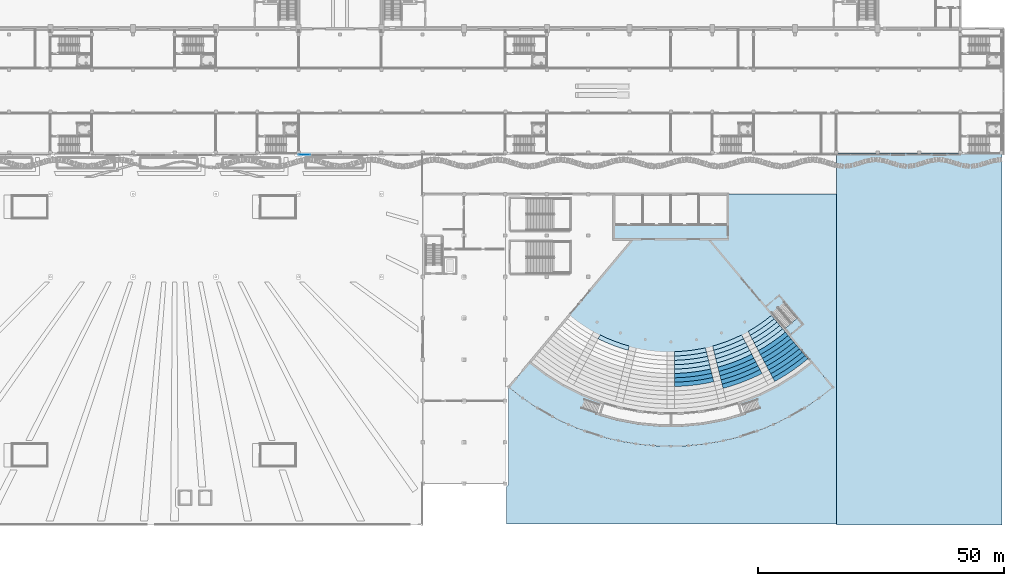
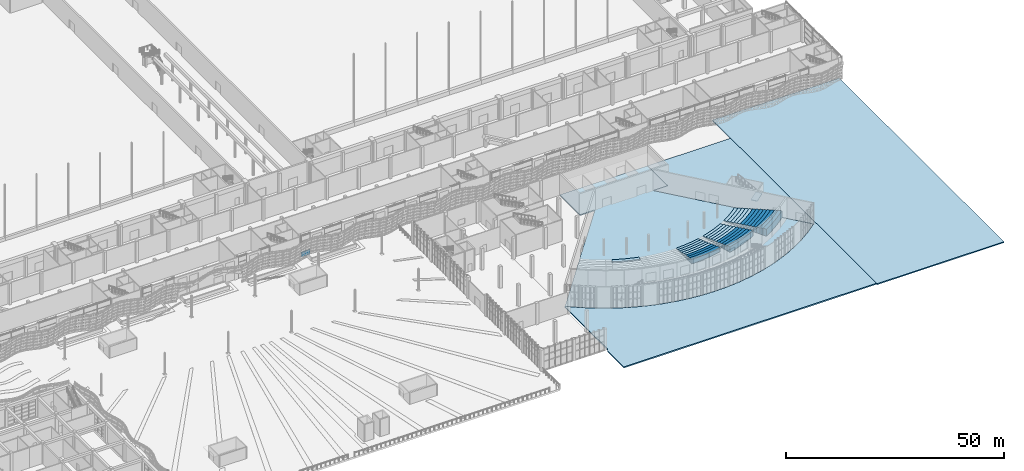
# One storey, part 89 of 210: 36 slabs, 1 plate, 2 elements without a shape of their own.
"""IFC4 building model written with IfcOpenShell, lengths in metres."""

import ifcopenshell
import ifcopenshell.guid

model = None  # the IFC model being written
_history = None  # IfcOwnerHistory: only IFC2X3 demands one
_inside = {}  # id of a spatial element -> (the spatial element, [elements in it])
_under = {}  # id of a project, library or spatial element -> (it, [spatial elements below it])
_declared = {}  # id of a project -> (the project, [libraries it declares])
_typed = {}  # id of a type object -> (the type object, [elements of that type])
_made_of = {}  # id of a material, layer set ... -> (it, [elements and type objects made of it])


def new_model(schema):
    """Start an empty IFC model of exactly this schema.

    Asked for "IFC4X3", IfcOpenShell would pick the latest addendum, in which some entities
    have other attributes; the version numbers below select the first issue.
    IFC2X3 requires an IfcOwnerHistory on every rooted entity: one is made here for all.
    """
    global model, _history
    if schema == "IFC4X3":
        model = ifcopenshell.file(schema_version=(4, 3, 0, 0))
    else:
        model = ifcopenshell.file(schema=schema)
    _inside.clear()
    _under.clear()
    _declared.clear()
    _typed.clear()
    _made_of.clear()
    _history = None
    if model.schema == "IFC2X3":
        org = make("IfcOrganization", Name="unknown")
        user = make(
            "IfcPersonAndOrganization",
            ThePerson=make("IfcPerson", FamilyName="unknown"),
            TheOrganization=org,
        )
        app = make(
            "IfcApplication",
            ApplicationDeveloper=org,
            Version="unknown",
            ApplicationFullName="unknown",
            ApplicationIdentifier="unknown",
        )
        _history = make(
            "IfcOwnerHistory",
            OwningUser=user,
            OwningApplication=app,
            ChangeAction="ADDED",
            CreationDate=0,
        )
    return model


def make(cls, **values):
    """One entity of the class cls with the attributes given. An attribute that is None is left unset."""
    return model.create_entity(
        cls, **{name: value for name, value in values.items() if value is not None}
    )


def rooted(cls, **values):
    """An entity with a GlobalId (a new one), such as an element, a storey or a relation."""
    return make(cls, GlobalId=ifcopenshell.guid.new(), OwnerHistory=_history, **values)


def si_unit(unit_type, name, prefix=None):
    """IfcSIUnit, for example si_unit("LENGTHUNIT", "METRE", prefix="MILLI")."""
    return make("IfcSIUnit", UnitType=unit_type, Prefix=prefix, Name=name)


def assignment(units):
    """IfcUnitAssignment: the units of a project."""
    return None if units is None else make("IfcUnitAssignment", Units=units)


def point(xyz):
    """IfcCartesianPoint."""
    return None if xyz is None else make("IfcCartesianPoint", Coordinates=xyz)


def direction(xyz):
    """IfcDirection."""
    return None if xyz is None else make("IfcDirection", DirectionRatios=xyz)


def frame(location, z_axis=None, x_axis=None):
    """IfcAxis2Placement3D, a coordinate frame: its origin and axes. An axis left out is left unset."""
    return make(
        "IfcAxis2Placement3D",
        Location=point(location),
        Axis=direction(z_axis),
        RefDirection=direction(x_axis),
    )


def frame_2d(location, x_axis=None):
    """IfcAxis2Placement2D, a coordinate frame in the plane: its origin and x axis."""
    return make(
        "IfcAxis2Placement2D", Location=point(location), RefDirection=direction(x_axis)
    )


def origin():
    """The frame at (0, 0, 0) with its axes left unset."""
    return frame((0.0, 0.0, 0.0))


def origin_2d():
    """The frame at (0, 0) in the plane with its x axis left unset."""
    return frame_2d((0.0, 0.0))


def place(relative_to, where):
    """IfcLocalPlacement: puts the frame where relative to a parent placement (None: the world)."""
    return make(
        "IfcLocalPlacement", PlacementRelTo=relative_to, RelativePlacement=where
    )


def context(
    kind, dimensions, precision=None, world=None, true_north=None, identifier=None
):
    """IfcGeometricRepresentationContext, for example the 3D "Model" context."""
    return make(
        "IfcGeometricRepresentationContext",
        ContextIdentifier=identifier,
        ContextType=kind,
        CoordinateSpaceDimension=dimensions,
        Precision=precision,
        WorldCoordinateSystem=world,
        TrueNorth=true_north,
    )


def subcontext(parent, identifier, kind, view, scale=None):
    """IfcGeometricRepresentationSubContext, for example "Body" below "Model"."""
    return make(
        "IfcGeometricRepresentationSubContext",
        ContextIdentifier=identifier,
        ContextType=kind,
        ParentContext=parent,
        TargetScale=scale,
        TargetView=view,
    )


def project(units=None, contexts=None):
    """IfcProject with its units and contexts."""
    return rooted(
        "IfcProject",
        Name="project",
        RepresentationContexts=contexts,
        UnitsInContext=assignment(units),
    )


def spatial(cls, under=None, at=None, **own):
    """A site, building, storey or space (cls), placed at a placement, below another one or the project."""
    s = rooted(cls, ObjectPlacement=at, **own)
    if under is not None:
        _under.setdefault(under.id(), (under, []))[1].append(s)
    return s


def polyline(points):
    """IfcPolyline through the points."""
    return make("IfcPolyline", Points=[point(p) for p in points])


def profile(cls, at=None, kind="AREA", **sizes):
    """A parametric profile (cls). Its sizes go by their IFC names, for example OverallWidth=200.0."""
    return make(cls, ProfileType=kind, Position=at, **sizes)


def rectangle(**sizes):
    """IfcRectangleProfileDef."""
    return profile("IfcRectangleProfileDef", **sizes)


def outline(outer, holes=None, kind="AREA"):
    """IfcArbitraryClosedProfileDef: a profile drawn as a closed curve; with holes, ...WithVoids."""
    if holes is None:
        return make("IfcArbitraryClosedProfileDef", ProfileType=kind, OuterCurve=outer)
    return make(
        "IfcArbitraryProfileDefWithVoids",
        ProfileType=kind,
        OuterCurve=outer,
        InnerCurves=holes,
    )


def extrude(swept, where, along, depth):
    """IfcExtrudedAreaSolid: the profile swept, set in the frame where, extruded along a direction by depth."""
    return make(
        "IfcExtrudedAreaSolid",
        SweptArea=swept,
        Position=where,
        ExtrudedDirection=direction(along),
        Depth=depth,
    )


def shape(context_of_items, identifier, shape_type, items):
    """IfcShapeRepresentation: the items that make up one representation, for example the "Body"."""
    return make(
        "IfcShapeRepresentation",
        ContextOfItems=context_of_items,
        RepresentationIdentifier=identifier,
        RepresentationType=shape_type,
        Items=items,
    )


def material(Name=None, Category=None):
    """IfcMaterial."""
    return make("IfcMaterial", Name=Name, Category=Category)


def layer(
    of_material, thickness, ventilated=None, Name=None, Category=None, Priority=None
):
    """IfcMaterialLayer: one layer of a wall or slab, of a material (None: an air gap)."""
    return make(
        "IfcMaterialLayer",
        Material=of_material,
        LayerThickness=thickness,
        IsVentilated=ventilated,
        Name=Name,
        Category=Category,
        Priority=Priority,
    )


def layer_set(layers, Name=None):
    """IfcMaterialLayerSet."""
    return make("IfcMaterialLayerSet", MaterialLayers=layers, LayerSetName=Name)


def made_of(thing, what):
    """Note that an element or type object is made of a material, layer set ...; save() writes the relation."""
    if what is not None:
        _made_of.setdefault(what.id(), (what, []))[1].append(thing)
    return thing


def type_object(cls, material=None, **own):
    """A type object (cls), such as IfcWallType, which elements share."""
    return made_of(rooted(cls, **own), material)


def element(
    cls,
    number,
    at=None,
    inside=None,
    cuts=None,
    type_object=None,
    material=None,
    context=None,
    identifier="Body",
    shape_type=None,
    held_by="IfcProductDefinitionShape",
    body=None,
    shapes=None,
    **own,
):
    """One element of the class cls, such as IfcWall. Its Tag is "e" and its number.

    at: its placement. inside: the storey or other place that contains it. cuts: it is an
    opening in that element (IfcRelVoidsElement). A single representation is given by context,
    identifier, shape_type and body (its items); several are given by shapes. held_by: the class
    of the entity that holds the representations. save() writes the other relations.
    """
    e = rooted(cls, Tag="e%d" % number, ObjectPlacement=at, **own)
    if body is not None:
        shapes = [shape(context, identifier, shape_type, body)]
    if shapes is not None:
        e.Representation = make(held_by, Representations=shapes)
    if inside is not None:
        _inside.setdefault(inside.id(), (inside, []))[1].append(e)
    if cuts is not None:
        rooted(
            "IfcRelVoidsElement", RelatingBuildingElement=cuts, RelatedOpeningElement=e
        )
    if type_object is not None:
        _typed.setdefault(type_object.id(), (type_object, []))[1].append(e)
    return made_of(e, material)


def aggregate(whole, parts):
    """IfcRelAggregates: a whole, such as a stair, and the parts it consists of."""
    return rooted("IfcRelAggregates", RelatingObject=whole, RelatedObjects=parts)


def save(model, path):
    """Write the relations noted so far, then the file.

    IfcRelAggregates (storeys below a building ...), IfcRelContainedInSpatialStructure (elements
    in a storey), IfcRelDefinesByType, IfcRelAssociatesMaterial and IfcRelDeclares: one each for
    every whole, place, type object, material and project.
    """
    for whole, parts in _under.values():
        aggregate(whole, parts)
    for where, things in _inside.values():
        rooted(
            "IfcRelContainedInSpatialStructure",
            RelatedElements=things,
            RelatingStructure=where,
        )
    for kind, things in _typed.values():
        rooted("IfcRelDefinesByType", RelatedObjects=things, RelatingType=kind)
    for what, things in _made_of.values():
        rooted("IfcRelAssociatesMaterial", RelatedObjects=things, RelatingMaterial=what)
    for by, libraries in _declared.values():
        rooted("IfcRelDeclares", RelatingContext=by, RelatedDefinitions=libraries)
    model.write(path)


model = new_model("IFC4")

# Units and contexts
model_context = context("Model", 3, precision=1e-05, world=origin(), true_north=direction((0.0, 1.0)))
body_context = subcontext(model_context, "Body", "Model", "MODEL_VIEW")
ifc_project = project(units=[si_unit("LENGTHUNIT", "METRE"), si_unit("AREAUNIT", "SQUARE_METRE"), si_unit("VOLUMEUNIT", "CUBIC_METRE"), si_unit("PLANEANGLEUNIT", "RADIAN"), si_unit("MASSUNIT", "GRAM", prefix="KILO")], contexts=[model_context])

# Site, building, storey
site_placement = place(None, origin())
site = spatial("IfcSite", under=ifc_project, at=site_placement, CompositionType="ELEMENT")
building_placement = place(site_placement, origin())
building = spatial("IfcBuilding", under=site, at=building_placement, Name="Rain Tree Exposition and Congress Centre", CompositionType="ELEMENT")
storey_placement = place(building_placement, origin())
storey = spatial("IfcBuildingStorey", under=building, at=storey_placement, Name="L00", CompositionType="ELEMENT", Elevation=0.0)

# Curtain wall, plate
ifc_material_1 = material(Name="Aluminium curtain wall system", Category="aluminium")
ifc_layer_1 = layer(ifc_material_1, 0.10009765625)
ifc_layer_set_1 = layer_set([ifc_layer_1], Name="Aluminium curtain wall system")
curtain_wall_type = type_object("IfcCurtainWallType", Name="Concourse curtain wall 4200 module", PredefinedType="NOTDEFINED", material=ifc_layer_set_1)
curtain_wall_placement = place(storey_placement, origin())
curtain_wall = element("IfcCurtainWall", 1, at=curtain_wall_placement, inside=storey, type_object=curtain_wall_type, Name="Concourse curtain wall CWC10", PredefinedType="NOTDEFINED")
ifc_material_2 = material(Name="Laminated low-e glass", Category="glass")
ifc_layer_2 = layer(ifc_material_2, 0.028076171875)
ifc_layer_set_2 = layer_set([ifc_layer_2], Name="Laminated low-e glass")
plate_type = type_object("IfcPlateType", Name="Concourse curtain wall glass panel 28", PredefinedType="CURTAIN_PANEL", material=ifc_layer_set_2)
plate_placement = place(storey_placement, frame((127.199951171875, 75.199951171875, 0.06005859375), z_axis=(0.0, 0.0, 1.0), x_axis=(1.0, 0.0, 0.0)))
plate = element("IfcPlate", 2, at=plate_placement, type_object=plate_type, Name="CWC10 panel 1.1", PredefinedType="CURTAIN_PANEL", context=body_context, shape_type="SweptSolid", body=[
    extrude(rectangle(XDim=2.280029296875, YDim=0.028076171875, at=origin_2d()), origin(), (0.0, 0.0, 1.0), 1.409912109375),
])
aggregate(curtain_wall, [plate])

# Slabs
ifc_material_3 = material(Name="Concrete C40/50", Category="concrete")
ifc_layer_3 = layer(ifc_material_3, 0.35009765625)
ifc_layer_set_3 = layer_set([ifc_layer_3], Name="Concrete C40/50")
slab_type_1 = type_object("IfcSlabType", Name="Court paving slab 350", PredefinedType="BASESLAB", material=ifc_layer_set_3)
slab_1_placement = place(storey_placement, frame((0.0, 0.0, -0.35009765625)))
element("IfcSlab", 3, at=slab_1_placement, inside=storey, type_object=slab_type_1, Name="Congress court paving 1", PredefinedType="BASESLAB", context=body_context, shape_type="SweptSolid", body=[
    extrude(outline(polyline([(171.2431640625, 25.97021484375), (168.689208984375, 27.978515625), (168.60009765625, 27.978515625), (168.60009765625, 8.39990234375), (168.59716796875, 8.34130859375), (168.58837890625, 8.282958984375), (168.57421875, 8.225830078125), (168.55419921875, 8.17041015625), (168.529296875, 8.1171875), (168.498779296875, 8.066650390625), (168.4638671875, 8.019287109375), (168.42431640625, 7.9755859375), (168.380615234375, 7.936279296875), (168.333251953125, 7.901123046875), (168.28271484375, 7.870849609375), (168.25, 7.855224609375), (168.25, 0.25), (235.199951171875, 0.25), (235.199951171875, 67.199951171875), (213.199951171875, 67.199951171875), (213.199951171875, 57.9599609375), (209.353271484375, 57.9599609375), (234.5107421875, 27.978515625), (231.956787109375, 25.97021484375), (229.28076171875, 24.127685546875), (226.493408203125, 22.458984375), (223.60546875, 20.97021484375), (220.629150390625, 19.66748046875), (217.576171875, 18.556396484375), (214.458740234375, 17.64111328125), (211.289794921875, 16.92529296875), (208.08154296875, 16.411865234375), (204.847412109375, 16.10302734375), (201.60009765625, 16.0), (198.352783203125, 16.10302734375), (195.118408203125, 16.411865234375), (191.910400390625, 16.92529296875), (188.7412109375, 17.64111328125), (185.623779296875, 18.556396484375), (182.57080078125, 19.66748046875), (179.594482421875, 20.97021484375), (176.706787109375, 22.458984375), (173.919189453125, 24.127685546875), (171.2431640625, 25.97021484375)])), origin(), (0.0, 0.0, 1.0), 0.35009765625),
])
ifc_material_4 = material(Name="Concrete C40/50", Category="concrete")
ifc_layer_4 = layer(ifc_material_4, 0.300048828125)
ifc_layer_set_4 = layer_set([ifc_layer_4], Name="Concrete C40/50")
slab_type_2 = type_object("IfcSlabType", Name="Court slab 300", PredefinedType="BASESLAB", material=ifc_layer_set_4)
slab_2_placement = place(storey_placement, frame((0.0, 0.0, -0.300048828125)))
element("IfcSlab", 4, at=slab_2_placement, inside=storey, type_object=slab_type_2, Name="East court paving slab", PredefinedType="BASESLAB", context=body_context, shape_type="SweptSolid", body=[
    extrude(outline(polyline([(235.199951171875, 0.0), (268.800048828125, 0.0), (268.800048828125, 75.60009765625), (235.199951171875, 75.60009765625), (235.199951171875, 0.0)])), origin(), (0.0, 0.0, 1.0), 0.300048828125),
])
ifc_material_5 = material(Name="Concrete C40/50", Category="concrete")
ifc_layer_5 = layer(ifc_material_5, 0.300048828125)
ifc_layer_set_5 = layer_set([ifc_layer_5], Name="Concrete C40/50")
slab_type_3 = type_object("IfcSlabType", Name="Ground slab 300 congress", PredefinedType="BASESLAB", material=ifc_layer_set_5)
slab_3_placement = place(storey_placement, frame((0.0, 0.0, -0.300048828125)))
element("IfcSlab", 5, at=slab_3_placement, inside=storey, type_object=slab_type_3, Name="Congress hall ground slab", PredefinedType="BASESLAB", context=body_context, shape_type="SweptSolid", body=[
    extrude(outline(polyline([(234.5107421875, 27.978515625), (209.353271484375, 57.9599609375), (213.199951171875, 57.9599609375), (213.199951171875, 67.199951171875), (190.0, 67.199951171875), (190.0, 57.9599609375), (193.8466796875, 57.9599609375), (168.689208984375, 27.978515625), (171.2431640625, 25.97021484375), (173.919189453125, 24.127685546875), (176.706787109375, 22.458984375), (179.594482421875, 20.97021484375), (182.57080078125, 19.66748046875), (185.623779296875, 18.556396484375), (188.7412109375, 17.64111328125), (191.910400390625, 16.92529296875), (195.118408203125, 16.411865234375), (198.352783203125, 16.10302734375), (201.60009765625, 16.0), (204.847412109375, 16.10302734375), (208.08154296875, 16.411865234375), (211.289794921875, 16.92529296875), (214.458740234375, 17.64111328125), (217.576171875, 18.556396484375), (220.629150390625, 19.66748046875), (223.60546875, 20.97021484375), (226.493408203125, 22.458984375), (229.28076171875, 24.127685546875), (231.956787109375, 25.97021484375), (234.5107421875, 27.978515625)])), origin(), (0.0, 0.0, 1.0), 0.300048828125),
])

# Stair, slab
ifc_material_6 = material(Name="Concrete C40/50", Category="concrete")
stair_type = type_object("IfcStairType", Name="Half-turn stair congress", PredefinedType="HALF_TURN_STAIR", material=ifc_material_6)
stair_placement = place(storey_placement, origin())
stair = element("IfcStair", 6, at=stair_placement, inside=storey, type_object=stair_type, Name="L00 Stair ST-G2", PredefinedType="HALF_TURN_STAIR")
ifc_material_7 = material(Name="Concrete C40/50", Category="concrete")
ifc_layer_6 = layer(ifc_material_7, 0.199951171875)
ifc_layer_set_6 = layer_set([ifc_layer_6], Name="Concrete C40/50")
slab_type_4 = type_object("IfcSlabType", Name="Stair landing slab 200", PredefinedType="LANDING", material=ifc_layer_set_6)
slab_4_placement = place(storey_placement, frame((226.543212890625, 40.351806640625, 2.7998046875), z_axis=(0.0, 0.0, 1.0), x_axis=(0.642787609687, -0.766044443119, 0.0)))
slab_4 = element("IfcSlab", 7, at=slab_4_placement, type_object=slab_type_4, Name="ST-G2 landing 1", PredefinedType="LANDING", context=body_context, shape_type="SweptSolid", body=[
    extrude(rectangle(XDim=1.60009765625, YDim=3.300048828125, at=origin_2d()), origin(), (0.0, 0.0, 1.0), 0.199951171875),
])
aggregate(stair, [slab_4])

# Slabs
ifc_material_8 = material(Name="Precast concrete C50/60", Category="concrete")
ifc_layer_7 = layer(ifc_material_8, 0.300048828125)
ifc_layer_set_7 = layer_set([ifc_layer_7], Name="Precast concrete C50/60")
slab_type_5 = type_object("IfcSlabType", Name="Terrace step slab 300", PredefinedType="FLOOR", material=ifc_layer_set_7)
slab_5_placement = place(storey_placement, origin())
element("IfcSlab", 8, at=slab_5_placement, inside=storey, type_object=slab_type_5, Name="Stalls tier row 1", ObjectType="SEATING TIER", PredefinedType="USERDEFINED", context=body_context, shape_type="SweptSolid", body=[
    extrude(outline(polyline([(192.87548828125, 35.49267578125), (192.9189453125, 35.48193359375), (193.135498046875, 36.3505859375), (191.92431640625, 36.697998046875), (190.236572265625, 37.28564453125), (188.58447265625, 37.966552734375), (187.24658203125, 38.607666015625), (186.832275390625, 37.828125), (187.90234375, 37.302734375), (189.52685546875, 36.610595703125), (191.18603515625, 36.006591796875), (192.87548828125, 35.49267578125)])), origin(), (0.0, 0.0, 1.0), 0.14990234375),
])
slab_6_placement = place(storey_placement, origin())
element("IfcSlab", 9, at=slab_6_placement, inside=storey, type_object=slab_type_5, Name="Stalls tier row 1", ObjectType="SEATING TIER", PredefinedType="USERDEFINED", context=body_context, shape_type="SweptSolid", body=[
    extrude(outline(polyline([(208.610107421875, 35.070068359375), (208.82470703125, 35.123046875), (208.608642578125, 35.989501953125), (207.8154296875, 35.809326171875), (206.053466796875, 35.511474609375), (204.277587890625, 35.312255859375), (202.493408203125, 35.21240234375), (202.35009765625, 35.21240234375), (202.35009765625, 34.33447265625), (203.365234375, 34.36181640625), (205.125244140625, 34.50390625), (206.875244140625, 34.739990234375), (208.610107421875, 35.070068359375)])), origin(), (0.0, 0.0, 1.0), 0.14990234375),
])
slab_7_placement = place(storey_placement, origin())
element("IfcSlab", 10, at=slab_7_placement, inside=storey, type_object=slab_type_5, Name="Stalls tier row 1", ObjectType="SEATING TIER", PredefinedType="USERDEFINED", context=body_context, shape_type="SweptSolid", body=[
    extrude(outline(polyline([(215.297607421875, 37.302734375), (216.367919921875, 37.828125), (215.953369140625, 38.607666015625), (214.615478515625, 37.966552734375), (212.96337890625, 37.28564453125), (211.27587890625, 36.697998046875), (210.064697265625, 36.3505859375), (210.281005859375, 35.48193359375), (210.324462890625, 35.49267578125), (212.013916015625, 36.006591796875), (213.673095703125, 36.610595703125), (215.297607421875, 37.302734375)])), origin(), (0.0, 0.0, 1.0), 0.14990234375),
])
slab_8_placement = place(storey_placement, origin())
element("IfcSlab", 11, at=slab_8_placement, inside=storey, type_object=slab_type_5, Name="Stalls tier row 1", ObjectType="SEATING TIER", PredefinedType="USERDEFINED", context=body_context, shape_type="SweptSolid", body=[
    extrude(outline(polyline([(219.916259765625, 39.88720703125), (221.355712890625, 40.909912109375), (222.581787109375, 41.8837890625), (222.012451171875, 42.562255859375), (220.768798828125, 41.57666015625), (219.30859375, 40.54638671875), (217.793212890625, 39.599609375), (217.27587890625, 39.315185546875), (217.691650390625, 38.53369140625), (218.423583984375, 38.943603515625), (219.916259765625, 39.88720703125)])), origin(), (0.0, 0.0, 1.0), 0.14990234375),
])
slab_9_placement = place(storey_placement, origin())
element("IfcSlab", 12, at=slab_9_placement, inside=storey, type_object=slab_type_5, Name="Stalls tier row 2", ObjectType="SEATING TIER", PredefinedType="USERDEFINED", context=body_context, shape_type="SweptSolid", body=[
    extrude(outline(polyline([(208.798828125, 34.20458984375), (209.038818359375, 34.263916015625), (208.82470703125, 35.123046875), (208.610107421875, 35.070068359375), (206.875244140625, 34.739990234375), (205.125244140625, 34.50390625), (203.365234375, 34.36181640625), (202.35009765625, 34.33447265625), (202.35009765625, 33.44873046875), (203.41259765625, 33.477294921875), (205.22021484375, 33.623291015625), (207.017333984375, 33.865966796875), (208.798828125, 34.20458984375)])), origin(), (0.0, 0.0, 1.0), 0.300048828125),
])
slab_10_placement = place(storey_placement, origin())
element("IfcSlab", 13, at=slab_10_placement, inside=storey, type_object=slab_type_5, Name="Stalls tier row 2", ObjectType="SEATING TIER", PredefinedType="USERDEFINED", context=body_context, shape_type="SweptSolid", body=[
    extrude(outline(polyline([(215.66650390625, 36.49755859375), (216.78369140625, 37.046142578125), (216.367919921875, 37.828125), (215.297607421875, 37.302734375), (213.673095703125, 36.610595703125), (212.013916015625, 36.006591796875), (210.324462890625, 35.49267578125), (210.281005859375, 35.48193359375), (210.495361328125, 34.622802734375), (210.5595703125, 34.638671875), (212.294189453125, 35.16650390625), (213.998291015625, 35.786865234375), (215.66650390625, 36.49755859375)])), origin(), (0.0, 0.0, 1.0), 0.300048828125),
])
slab_11_placement = place(storey_placement, origin())
element("IfcSlab", 14, at=slab_11_placement, inside=storey, type_object=slab_type_5, Name="Stalls tier row 2", ObjectType="SEATING TIER", PredefinedType="USERDEFINED", context=body_context, shape_type="SweptSolid", body=[
    extrude(outline(polyline([(220.409423828125, 39.151611328125), (221.887939453125, 40.20166015625), (223.151123046875, 41.205078125), (222.581787109375, 41.8837890625), (221.355712890625, 40.909912109375), (219.916259765625, 39.88720703125), (218.423583984375, 38.943603515625), (217.691650390625, 38.53369140625), (218.107421875, 37.751708984375), (218.876708984375, 38.182373046875), (220.409423828125, 39.151611328125)])), origin(), (0.0, 0.0, 1.0), 0.300048828125),
])
slab_12_placement = place(storey_placement, origin())
element("IfcSlab", 15, at=slab_12_placement, inside=storey, type_object=slab_type_5, Name="Stalls tier row 3", ObjectType="SEATING TIER", PredefinedType="USERDEFINED", context=body_context, shape_type="SweptSolid", body=[
    extrude(outline(polyline([(207.838623046875, 33.10888671875), (209.2529296875, 33.40576171875), (209.038818359375, 34.263916015625), (208.798828125, 34.20458984375), (207.017333984375, 33.865966796875), (205.22021484375, 33.623291015625), (203.41259765625, 33.477294921875), (202.35009765625, 33.44873046875), (202.35009765625, 32.554443359375), (202.49609375, 32.554443359375), (204.28564453125, 32.647216796875), (206.068115234375, 32.83203125), (207.838623046875, 33.10888671875)])), origin(), (0.0, 0.0, 1.0), 0.449951171875),
])
slab_13_placement = place(storey_placement, origin())
element("IfcSlab", 16, at=slab_13_placement, inside=storey, type_object=slab_type_5, Name="Stalls tier row 3", ObjectType="SEATING TIER", PredefinedType="USERDEFINED", context=body_context, shape_type="SweptSolid", body=[
    extrude(outline(polyline([(216.34814453125, 35.83740234375), (217.19921875, 36.264892578125), (216.78369140625, 37.046142578125), (215.66650390625, 36.49755859375), (213.998291015625, 35.786865234375), (212.294189453125, 35.16650390625), (210.5595703125, 34.638671875), (210.495361328125, 34.622802734375), (210.70751953125, 33.77197265625), (211.324951171875, 33.935302734375), (213.031494140625, 34.482421875), (214.707275390625, 35.1171875), (216.34814453125, 35.83740234375)])), origin(), (0.0, 0.0, 1.0), 0.449951171875),
])
slab_14_placement = place(storey_placement, origin())
element("IfcSlab", 17, at=slab_14_placement, inside=storey, type_object=slab_type_5, Name="Stalls tier row 3", ObjectType="SEATING TIER", PredefinedType="USERDEFINED", context=body_context, shape_type="SweptSolid", body=[
    extrude(outline(polyline([(221.01708984375, 38.492919921875), (222.47509765625, 39.53515625), (223.720703125, 40.526611328125), (223.151123046875, 41.205078125), (221.887939453125, 40.20166015625), (220.409423828125, 39.151611328125), (218.876708984375, 38.182373046875), (218.107421875, 37.751708984375), (218.52392578125, 36.96826171875), (219.50732421875, 37.527587890625), (221.01708984375, 38.492919921875)])), origin(), (0.0, 0.0, 1.0), 0.449951171875),
])
slab_15_placement = place(storey_placement, origin())
element("IfcSlab", 18, at=slab_15_placement, inside=storey, type_object=slab_type_5, Name="Stalls tier row 4", ObjectType="SEATING TIER", PredefinedType="USERDEFINED", context=body_context, shape_type="SweptSolid", body=[
    extrude(outline(polyline([(208.642578125, 32.36181640625), (209.46630859375, 32.5498046875), (209.2529296875, 33.40576171875), (207.838623046875, 33.10888671875), (206.068115234375, 32.83203125), (204.28564453125, 32.647216796875), (202.49609375, 32.554443359375), (202.35009765625, 32.554443359375), (202.35009765625, 31.67578125), (203.37158203125, 31.701416015625), (205.138916015625, 31.833740234375), (206.8974609375, 32.05419921875), (208.642578125, 32.36181640625)])), origin(), (0.0, 0.0, 1.0), 0.60009765625),
])
slab_16_placement = place(storey_placement, origin())
element("IfcSlab", 19, at=slab_16_placement, inside=storey, type_object=slab_type_5, Name="Stalls tier row 4", ObjectType="SEATING TIER", PredefinedType="USERDEFINED", context=body_context, shape_type="SweptSolid", body=[
    extrude(outline(polyline([(217.021484375, 35.177001953125), (217.615478515625, 35.481689453125), (217.19921875, 36.264892578125), (216.34814453125, 35.83740234375), (214.707275390625, 35.1171875), (213.031494140625, 34.482421875), (211.324951171875, 33.935302734375), (210.70751953125, 33.77197265625), (210.922119140625, 32.911376953125), (212.076416015625, 33.236083984375), (213.75634765625, 33.800537109375), (215.406005859375, 34.447998046875), (217.021484375, 35.177001953125)])), origin(), (0.0, 0.0, 1.0), 0.60009765625),
])
slab_17_placement = place(storey_placement, origin())
element("IfcSlab", 20, at=slab_17_placement, inside=storey, type_object=slab_type_5, Name="Stalls tier row 4", ObjectType="SEATING TIER", PredefinedType="USERDEFINED", context=body_context, shape_type="SweptSolid", body=[
    extrude(outline(polyline([(221.6220703125, 37.8330078125), (223.060791015625, 38.86767578125), (224.2900390625, 39.847900390625), (223.720703125, 40.526611328125), (222.47509765625, 39.53515625), (221.01708984375, 38.492919921875), (219.50732421875, 37.527587890625), (218.52392578125, 36.96826171875), (218.94140625, 36.183349609375), (220.13330078125, 36.87158203125), (221.6220703125, 37.8330078125)])), origin(), (0.0, 0.0, 1.0), 0.60009765625),
])
slab_18_placement = place(storey_placement, origin())
element("IfcSlab", 21, at=slab_18_placement, inside=storey, type_object=slab_type_5, Name="Stalls tier row 5", ObjectType="SEATING TIER", PredefinedType="USERDEFINED", context=body_context, shape_type="SweptSolid", body=[
    extrude(outline(polyline([(208.818115234375, 31.49365234375), (209.680419921875, 31.6904296875), (209.46630859375, 32.5498046875), (208.642578125, 32.36181640625), (206.8974609375, 32.05419921875), (205.138916015625, 31.833740234375), (203.37158203125, 31.701416015625), (202.35009765625, 31.67578125), (202.35009765625, 30.7900390625), (203.415771484375, 30.816650390625), (205.22705078125, 30.952392578125), (207.029296875, 31.17822265625), (208.818115234375, 31.49365234375)])), origin(), (0.0, 0.0, 1.0), 0.75),
])
slab_19_placement = place(storey_placement, origin())
element("IfcSlab", 22, at=slab_19_placement, inside=storey, type_object=slab_type_5, Name="Stalls tier row 5", ObjectType="SEATING TIER", PredefinedType="USERDEFINED", context=body_context, shape_type="SweptSolid", body=[
    extrude(outline(polyline([(217.40576171875, 34.37890625), (218.03125, 34.69970703125), (217.615478515625, 35.481689453125), (217.021484375, 35.177001953125), (215.406005859375, 34.447998046875), (213.75634765625, 33.800537109375), (212.076416015625, 33.236083984375), (210.922119140625, 32.911376953125), (211.136474609375, 32.052001953125), (212.33740234375, 32.389892578125), (214.059326171875, 32.96826171875), (215.75, 33.6318359375), (217.40576171875, 34.37890625)])), origin(), (0.0, 0.0, 1.0), 0.75),
])
slab_20_placement = place(storey_placement, origin())
element("IfcSlab", 23, at=slab_20_placement, inside=storey, type_object=slab_type_5, Name="Stalls tier row 5", ObjectType="SEATING TIER", PredefinedType="USERDEFINED", context=body_context, shape_type="SweptSolid", body=[
    extrude(outline(polyline([(222.120849609375, 37.101318359375), (223.595703125, 38.16162109375), (224.859375, 39.16943359375), (224.2900390625, 39.847900390625), (223.060791015625, 38.86767578125), (221.6220703125, 37.8330078125), (220.13330078125, 36.87158203125), (218.94140625, 36.183349609375), (219.357177734375, 35.401123046875), (220.59521484375, 36.11572265625), (222.120849609375, 37.101318359375)])), origin(), (0.0, 0.0, 1.0), 0.75),
])
slab_21_placement = place(storey_placement, origin())
element("IfcSlab", 24, at=slab_21_placement, inside=storey, type_object=slab_type_5, Name="Stalls tier row 6", ObjectType="SEATING TIER", PredefinedType="USERDEFINED", context=body_context, shape_type="SweptSolid", body=[
    extrude(outline(polyline([(209.62158203125, 30.758056640625), (209.896240234375, 30.825439453125), (209.680419921875, 31.6904296875), (208.818115234375, 31.49365234375), (207.029296875, 31.17822265625), (205.22705078125, 30.952392578125), (203.415771484375, 30.816650390625), (202.35009765625, 30.7900390625), (202.35009765625, 29.896484375), (202.498291015625, 29.896484375), (204.29248046875, 29.98291015625), (206.08056640625, 30.15576171875), (207.8583984375, 30.414306640625), (209.62158203125, 30.758056640625)])), origin(), (0.0, 0.0, 1.0), 0.89990234375),
])
slab_22_placement = place(storey_placement, origin())
element("IfcSlab", 25, at=slab_22_placement, inside=storey, type_object=slab_type_5, Name="Stalls tier row 6", ObjectType="SEATING TIER", PredefinedType="USERDEFINED", context=body_context, shape_type="SweptSolid", body=[
    extrude(outline(polyline([(218.07861328125, 33.721435546875), (218.448486328125, 33.914794921875), (218.03125, 34.69970703125), (217.40576171875, 34.37890625), (215.75, 33.6318359375), (214.059326171875, 32.96826171875), (212.33740234375, 32.389892578125), (211.136474609375, 32.052001953125), (211.35302734375, 31.18310546875), (211.3662109375, 31.186279296875), (213.087890625, 31.6982421875), (214.783447265625, 32.292236328125), (216.447998046875, 32.967041015625), (218.07861328125, 33.721435546875)])), origin(), (0.0, 0.0, 1.0), 0.89990234375),
])
slab_23_placement = place(storey_placement, origin())
element("IfcSlab", 26, at=slab_23_placement, inside=storey, type_object=slab_type_5, Name="Stalls tier row 6", ObjectType="SEATING TIER", PredefinedType="USERDEFINED", context=body_context, shape_type="SweptSolid", body=[
    extrude(outline(polyline([(222.725830078125, 36.44189453125), (224.181640625, 37.494384765625), (225.4287109375, 38.49072265625), (224.859375, 39.16943359375), (223.595703125, 38.16162109375), (222.120849609375, 37.101318359375), (220.59521484375, 36.11572265625), (219.357177734375, 35.401123046875), (219.775390625, 34.614501953125), (221.220947265625, 35.4609375), (222.725830078125, 36.44189453125)])), origin(), (0.0, 0.0, 1.0), 0.89990234375),
])
slab_24_placement = place(storey_placement, origin())
element("IfcSlab", 27, at=slab_24_placement, inside=storey, type_object=slab_type_5, Name="Stalls tier row 7", ObjectType="SEATING TIER", PredefinedType="USERDEFINED", context=body_context, shape_type="SweptSolid", body=[
    extrude(outline(polyline([(208.670654296875, 29.66015625), (210.110595703125, 29.966064453125), (209.896240234375, 30.825439453125), (209.62158203125, 30.758056640625), (207.8583984375, 30.414306640625), (206.08056640625, 30.15576171875), (204.29248046875, 29.98291015625), (202.498291015625, 29.896484375), (202.35009765625, 29.896484375), (202.35009765625, 29.017578125), (203.377197265625, 29.04150390625), (205.150634765625, 29.165283203125), (206.91650390625, 29.371826171875), (208.670654296875, 29.66015625)])), origin(), (0.0, 0.0, 1.0), 1.050048828125),
])
slab_25_placement = place(storey_placement, origin())
element("IfcSlab", 28, at=slab_25_placement, inside=storey, type_object=slab_type_5, Name="Stalls tier row 7", ObjectType="SEATING TIER", PredefinedType="USERDEFINED", context=body_context, shape_type="SweptSolid", body=[
    extrude(outline(polyline([(218.744140625, 33.063232421875), (218.86669921875, 33.12841796875), (218.448486328125, 33.914794921875), (218.07861328125, 33.721435546875), (216.447998046875, 32.967041015625), (214.783447265625, 32.292236328125), (213.087890625, 31.6982421875), (211.3662109375, 31.186279296875), (211.35302734375, 31.18310546875), (211.565185546875, 30.332275390625), (212.12939453125, 30.479736328125), (213.826416015625, 31.009521484375), (215.496826171875, 31.617431640625), (217.13720703125, 32.302490234375), (218.744140625, 33.063232421875)])), origin(), (0.0, 0.0, 1.0), 1.050048828125),
])
slab_26_placement = place(storey_placement, origin())
element("IfcSlab", 29, at=slab_26_placement, inside=storey, type_object=slab_type_5, Name="Stalls tier row 7", ObjectType="SEATING TIER", PredefinedType="USERDEFINED", context=body_context, shape_type="SweptSolid", body=[
    extrude(outline(polyline([(223.328125, 35.781494140625), (224.766357421875, 36.826416015625), (225.998291015625, 37.81201171875), (225.4287109375, 38.49072265625), (224.181640625, 37.494384765625), (222.725830078125, 36.44189453125), (221.220947265625, 35.4609375), (219.775390625, 34.614501953125), (220.191162109375, 33.83251953125), (220.313720703125, 33.897705078125), (221.843017578125, 34.8046875), (223.328125, 35.781494140625)])), origin(), (0.0, 0.0, 1.0), 1.050048828125),
])
slab_27_placement = place(storey_placement, origin())
element("IfcSlab", 30, at=slab_27_placement, inside=storey, type_object=slab_type_5, Name="Stalls tier row 8", ObjectType="SEATING TIER", PredefinedType="USERDEFINED", context=body_context, shape_type="SweptSolid", body=[
    extrude(outline(polyline([(208.834716796875, 28.789794921875), (210.32470703125, 29.1064453125), (210.110595703125, 29.966064453125), (208.670654296875, 29.66015625), (206.91650390625, 29.371826171875), (205.150634765625, 29.165283203125), (203.377197265625, 29.04150390625), (202.35009765625, 29.017578125), (202.35009765625, 28.131591796875), (203.41845703125, 28.156494140625), (205.23291015625, 28.283447265625), (207.039794921875, 28.49462890625), (208.834716796875, 28.789794921875)])), origin(), (0.0, 0.0, 1.0), 1.199951171875),
])
slab_28_placement = place(storey_placement, origin())
element("IfcSlab", 31, at=slab_28_placement, inside=storey, type_object=slab_type_5, Name="Stalls tier row 8", ObjectType="SEATING TIER", PredefinedType="USERDEFINED", context=body_context, shape_type="SweptSolid", body=[
    extrude(outline(polyline([(219.1416015625, 32.271728515625), (219.282470703125, 32.3466796875), (218.86669921875, 33.12841796875), (218.744140625, 33.063232421875), (217.13720703125, 32.302490234375), (215.496826171875, 31.617431640625), (213.826416015625, 31.009521484375), (212.12939453125, 30.479736328125), (211.565185546875, 30.332275390625), (211.779296875, 29.472900390625), (212.37353515625, 29.62841796875), (214.10986328125, 30.17041015625), (215.819091796875, 30.79248046875), (217.49755859375, 31.493408203125), (219.1416015625, 32.271728515625)])), origin(), (0.0, 0.0, 1.0), 1.199951171875),
])
slab_29_placement = place(storey_placement, origin())
element("IfcSlab", 32, at=slab_29_placement, inside=storey, type_object=slab_type_5, Name="Stalls tier row 8", ObjectType="SEATING TIER", PredefinedType="USERDEFINED", context=body_context, shape_type="SweptSolid", body=[
    extrude(outline(polyline([(223.83203125, 35.052978515625), (225.3037109375, 36.1220703125), (226.567626953125, 37.133544921875), (225.998291015625, 37.81201171875), (224.766357421875, 36.826416015625), (223.328125, 35.781494140625), (221.843017578125, 34.8046875), (220.313720703125, 33.897705078125), (220.191162109375, 33.83251953125), (220.60693359375, 33.05078125), (220.747802734375, 33.125732421875), (222.312255859375, 34.053466796875), (223.83203125, 35.052978515625)])), origin(), (0.0, 0.0, 1.0), 1.199951171875),
])
slab_30_placement = place(storey_placement, origin())
element("IfcSlab", 33, at=slab_30_placement, inside=storey, type_object=slab_type_5, Name="Stalls tier row 9", ObjectType="SEATING TIER", PredefinedType="USERDEFINED", context=body_context, shape_type="SweptSolid", body=[
    extrude(outline(polyline([(218.18603515625, 30.832275390625), (219.69873046875, 31.563720703125), (219.282470703125, 32.3466796875), (219.1416015625, 32.271728515625), (217.49755859375, 31.493408203125), (215.819091796875, 30.79248046875), (214.10986328125, 30.17041015625), (212.37353515625, 29.62841796875), (211.779296875, 29.472900390625), (211.993896484375, 28.613037109375), (213.1357421875, 28.929443359375), (214.84716796875, 29.487548828125), (216.53173828125, 30.122314453125), (218.18603515625, 30.832275390625)])), origin(), (0.0, 0.0, 1.0), 1.35009765625),
])
slab_31_placement = place(storey_placement, origin())
element("IfcSlab", 34, at=slab_31_placement, inside=storey, type_object=slab_type_5, Name="Stalls tier row 9", ObjectType="SEATING TIER", PredefinedType="USERDEFINED", context=body_context, shape_type="SweptSolid", body=[
    extrude(outline(polyline([(224.434326171875, 34.392822265625), (225.888427734375, 35.454345703125), (227.136962890625, 36.455078125), (226.567626953125, 37.133544921875), (225.3037109375, 36.1220703125), (223.83203125, 35.052978515625), (222.312255859375, 34.053466796875), (220.747802734375, 33.125732421875), (220.60693359375, 33.05078125), (221.02099609375, 32.272216796875), (221.390380859375, 32.4716796875), (222.93408203125, 33.398193359375), (224.434326171875, 34.392822265625)])), origin(), (0.0, 0.0, 1.0), 1.35009765625),
])
slab_32_placement = place(storey_placement, origin())
element("IfcSlab", 35, at=slab_32_placement, inside=storey, type_object=slab_type_5, Name="Stalls tier row 10", ObjectType="SEATING TIER", PredefinedType="USERDEFINED", context=body_context, shape_type="SweptSolid", body=[
    extrude(outline(polyline([(218.866943359375, 30.1708984375), (220.11279296875, 30.78515625), (219.69873046875, 31.563720703125), (218.18603515625, 30.832275390625), (216.53173828125, 30.122314453125), (214.84716796875, 29.487548828125), (213.1357421875, 28.929443359375), (211.993896484375, 28.613037109375), (212.210205078125, 27.745361328125), (213.885986328125, 28.23388671875), (215.573974609375, 28.806884765625), (217.2353515625, 29.452880859375), (218.866943359375, 30.1708984375)])), origin(), (0.0, 0.0, 1.0), 1.5),
])
slab_33_placement = place(storey_placement, origin())
element("IfcSlab", 36, at=slab_33_placement, inside=storey, type_object=slab_type_5, Name="Stalls tier row 10", ObjectType="SEATING TIER", PredefinedType="USERDEFINED", context=body_context, shape_type="SweptSolid", body=[
    extrude(outline(polyline([(225.03466796875, 33.731689453125), (226.472412109375, 34.785888671875), (227.70654296875, 35.7763671875), (227.136962890625, 36.455078125), (225.888427734375, 35.454345703125), (224.434326171875, 34.392822265625), (222.93408203125, 33.398193359375), (221.390380859375, 32.4716796875), (221.02099609375, 32.272216796875), (221.435791015625, 31.49169921875), (222.028564453125, 31.816650390625), (223.552490234375, 32.741455078125), (225.03466796875, 33.731689453125)])), origin(), (0.0, 0.0, 1.0), 1.5),
])
slab_34_placement = place(storey_placement, origin())
element("IfcSlab", 37, at=slab_34_placement, inside=storey, type_object=slab_type_5, Name="Stalls tier row 11", ObjectType="SEATING TIER", PredefinedType="USERDEFINED", context=body_context, shape_type="SweptSolid", body=[
    extrude(outline(polyline([(225.542724609375, 33.00634765625), (227.011474609375, 34.083251953125), (228.27587890625, 35.097900390625), (227.70654296875, 35.7763671875), (226.472412109375, 34.785888671875), (225.03466796875, 33.731689453125), (223.552490234375, 32.741455078125), (222.028564453125, 31.816650390625), (221.435791015625, 31.49169921875), (221.851806640625, 30.709716796875), (222.471435546875, 31.049560546875), (224.0283203125, 31.994384765625), (225.542724609375, 33.00634765625)])), origin(), (0.0, 0.0, 1.0), 1.64990234375),
])
slab_35_placement = place(storey_placement, origin())
element("IfcSlab", 38, at=slab_35_placement, inside=storey, type_object=slab_type_5, Name="Stalls tier row 12", ObjectType="SEATING TIER", PredefinedType="USERDEFINED", context=body_context, shape_type="SweptSolid", body=[
    extrude(outline(polyline([(226.14306640625, 32.345458984375), (227.59521484375, 33.414794921875), (228.84521484375, 34.419189453125), (228.27587890625, 35.097900390625), (227.011474609375, 34.083251953125), (225.542724609375, 33.00634765625), (224.0283203125, 31.994384765625), (222.471435546875, 31.049560546875), (221.851806640625, 30.709716796875), (222.267578125, 29.927490234375), (223.109130859375, 30.395751953125), (224.646728515625, 31.338623046875), (226.14306640625, 32.345458984375)])), origin(), (0.0, 0.0, 1.0), 1.800048828125),
])
slab_36_placement = place(storey_placement, origin())
element("IfcSlab", 39, at=slab_36_placement, inside=storey, type_object=slab_type_5, Name="Stalls tier row 13", ObjectType="SEATING TIER", PredefinedType="USERDEFINED", context=body_context, shape_type="SweptSolid", body=[
    extrude(outline(polyline([(226.741455078125, 31.683837890625), (228.17822265625, 32.745849609375), (229.41455078125, 33.74072265625), (228.84521484375, 34.419189453125), (227.59521484375, 33.414794921875), (226.14306640625, 32.345458984375), (224.646728515625, 31.338623046875), (223.109130859375, 30.395751953125), (222.267578125, 29.927490234375), (222.68408203125, 29.14404296875), (223.742919921875, 29.740966796875), (225.26220703125, 30.681396484375), (226.741455078125, 31.683837890625)])), origin(), (0.0, 0.0, 1.0), 1.949951171875),
])

save(model, "model.ifc")
